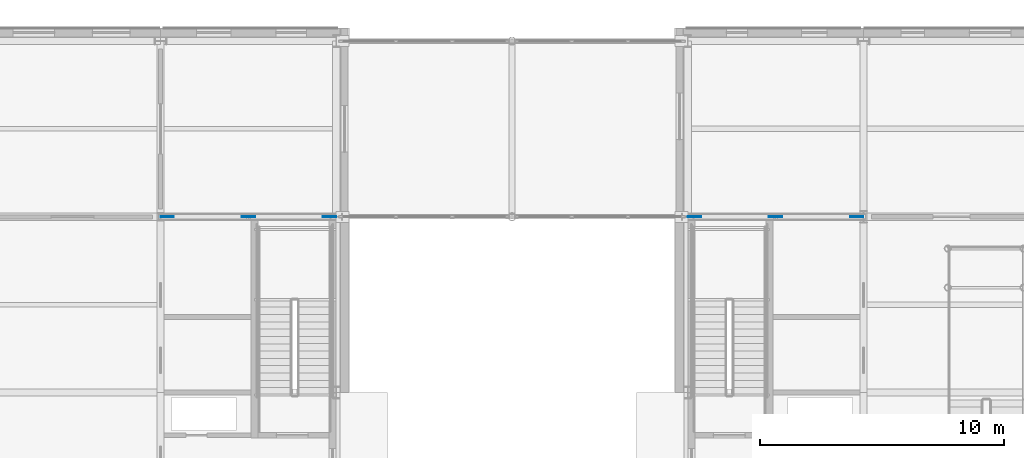
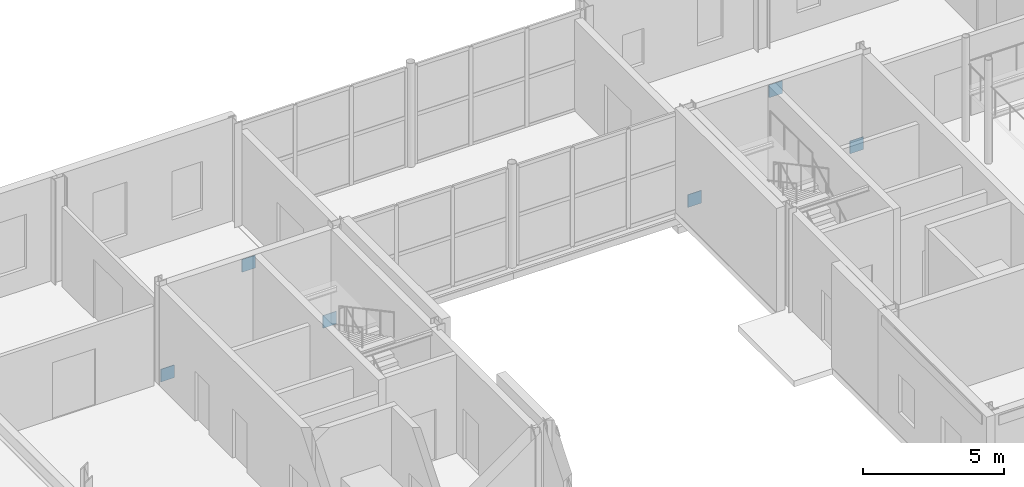
# One storey, part 48 of 92: 6 plates.
"""IFC4 building model written with IfcOpenShell, lengths in metres."""

import ifcopenshell
import ifcopenshell.guid

model = None  # the IFC model being written
_history = None  # IfcOwnerHistory: only IFC2X3 demands one
_inside = {}  # id of a spatial element -> (the spatial element, [elements in it])
_under = {}  # id of a project, library or spatial element -> (it, [spatial elements below it])
_declared = {}  # id of a project -> (the project, [libraries it declares])
_typed = {}  # id of a type object -> (the type object, [elements of that type])
_made_of = {}  # id of a material, layer set ... -> (it, [elements and type objects made of it])


def new_model(schema):
    """Start an empty IFC model of exactly this schema.

    Asked for "IFC4X3", IfcOpenShell would pick the latest addendum, in which some entities
    have other attributes; the version numbers below select the first issue.
    IFC2X3 requires an IfcOwnerHistory on every rooted entity: one is made here for all.
    """
    global model, _history
    if schema == "IFC4X3":
        model = ifcopenshell.file(schema_version=(4, 3, 0, 0))
    else:
        model = ifcopenshell.file(schema=schema)
    _inside.clear()
    _under.clear()
    _declared.clear()
    _typed.clear()
    _made_of.clear()
    _history = None
    if model.schema == "IFC2X3":
        org = make("IfcOrganization", Name="unknown")
        user = make(
            "IfcPersonAndOrganization",
            ThePerson=make("IfcPerson", FamilyName="unknown"),
            TheOrganization=org,
        )
        app = make(
            "IfcApplication",
            ApplicationDeveloper=org,
            Version="unknown",
            ApplicationFullName="unknown",
            ApplicationIdentifier="unknown",
        )
        _history = make(
            "IfcOwnerHistory",
            OwningUser=user,
            OwningApplication=app,
            ChangeAction="ADDED",
            CreationDate=0,
        )
    return model


def make(cls, **values):
    """One entity of the class cls with the attributes given. An attribute that is None is left unset."""
    return model.create_entity(
        cls, **{name: value for name, value in values.items() if value is not None}
    )


def rooted(cls, **values):
    """An entity with a GlobalId (a new one), such as an element, a storey or a relation."""
    return make(cls, GlobalId=ifcopenshell.guid.new(), OwnerHistory=_history, **values)


def si_unit(unit_type, name, prefix=None):
    """IfcSIUnit, for example si_unit("LENGTHUNIT", "METRE", prefix="MILLI")."""
    return make("IfcSIUnit", UnitType=unit_type, Prefix=prefix, Name=name)


def assignment(units):
    """IfcUnitAssignment: the units of a project."""
    return None if units is None else make("IfcUnitAssignment", Units=units)


def point(xyz):
    """IfcCartesianPoint."""
    return None if xyz is None else make("IfcCartesianPoint", Coordinates=xyz)


def direction(xyz):
    """IfcDirection."""
    return None if xyz is None else make("IfcDirection", DirectionRatios=xyz)


def frame(location, z_axis=None, x_axis=None):
    """IfcAxis2Placement3D, a coordinate frame: its origin and axes. An axis left out is left unset."""
    return make(
        "IfcAxis2Placement3D",
        Location=point(location),
        Axis=direction(z_axis),
        RefDirection=direction(x_axis),
    )


def frame_2d(location, x_axis=None):
    """IfcAxis2Placement2D, a coordinate frame in the plane: its origin and x axis."""
    return make(
        "IfcAxis2Placement2D", Location=point(location), RefDirection=direction(x_axis)
    )


def origin():
    """The frame at (0, 0, 0) with its axes left unset."""
    return frame((0.0, 0.0, 0.0))


def origin_2d():
    """The frame at (0, 0) in the plane with its x axis left unset."""
    return frame_2d((0.0, 0.0))


def place(relative_to, where):
    """IfcLocalPlacement: puts the frame where relative to a parent placement (None: the world)."""
    return make(
        "IfcLocalPlacement", PlacementRelTo=relative_to, RelativePlacement=where
    )


def context(
    kind, dimensions, precision=None, world=None, true_north=None, identifier=None
):
    """IfcGeometricRepresentationContext, for example the 3D "Model" context."""
    return make(
        "IfcGeometricRepresentationContext",
        ContextIdentifier=identifier,
        ContextType=kind,
        CoordinateSpaceDimension=dimensions,
        Precision=precision,
        WorldCoordinateSystem=world,
        TrueNorth=true_north,
    )


def subcontext(parent, identifier, kind, view, scale=None):
    """IfcGeometricRepresentationSubContext, for example "Body" below "Model"."""
    return make(
        "IfcGeometricRepresentationSubContext",
        ContextIdentifier=identifier,
        ContextType=kind,
        ParentContext=parent,
        TargetScale=scale,
        TargetView=view,
    )


def project(units=None, contexts=None):
    """IfcProject with its units and contexts."""
    return rooted(
        "IfcProject",
        Name="project",
        RepresentationContexts=contexts,
        UnitsInContext=assignment(units),
    )


def spatial(cls, under=None, at=None, **own):
    """A site, building, storey or space (cls), placed at a placement, below another one or the project."""
    s = rooted(cls, ObjectPlacement=at, **own)
    if under is not None:
        _under.setdefault(under.id(), (under, []))[1].append(s)
    return s


def profile(cls, at=None, kind="AREA", **sizes):
    """A parametric profile (cls). Its sizes go by their IFC names, for example OverallWidth=200.0."""
    return make(cls, ProfileType=kind, Position=at, **sizes)


def rectangle(**sizes):
    """IfcRectangleProfileDef."""
    return profile("IfcRectangleProfileDef", **sizes)


def extrude(swept, where, along, depth):
    """IfcExtrudedAreaSolid: the profile swept, set in the frame where, extruded along a direction by depth."""
    return make(
        "IfcExtrudedAreaSolid",
        SweptArea=swept,
        Position=where,
        ExtrudedDirection=direction(along),
        Depth=depth,
    )


def shape(context_of_items, identifier, shape_type, items):
    """IfcShapeRepresentation: the items that make up one representation, for example the "Body"."""
    return make(
        "IfcShapeRepresentation",
        ContextOfItems=context_of_items,
        RepresentationIdentifier=identifier,
        RepresentationType=shape_type,
        Items=items,
    )


def material(Name=None, Category=None):
    """IfcMaterial."""
    return make("IfcMaterial", Name=Name, Category=Category)


def layer(
    of_material, thickness, ventilated=None, Name=None, Category=None, Priority=None
):
    """IfcMaterialLayer: one layer of a wall or slab, of a material (None: an air gap)."""
    return make(
        "IfcMaterialLayer",
        Material=of_material,
        LayerThickness=thickness,
        IsVentilated=ventilated,
        Name=Name,
        Category=Category,
        Priority=Priority,
    )


def layer_set(layers, Name=None):
    """IfcMaterialLayerSet."""
    return make("IfcMaterialLayerSet", MaterialLayers=layers, LayerSetName=Name)


def made_of(thing, what):
    """Note that an element or type object is made of a material, layer set ...; save() writes the relation."""
    if what is not None:
        _made_of.setdefault(what.id(), (what, []))[1].append(thing)
    return thing


def type_object(cls, material=None, **own):
    """A type object (cls), such as IfcWallType, which elements share."""
    return made_of(rooted(cls, **own), material)


def element(
    cls,
    number,
    at=None,
    inside=None,
    cuts=None,
    type_object=None,
    material=None,
    context=None,
    identifier="Body",
    shape_type=None,
    held_by="IfcProductDefinitionShape",
    body=None,
    shapes=None,
    **own,
):
    """One element of the class cls, such as IfcWall. Its Tag is "e" and its number.

    at: its placement. inside: the storey or other place that contains it. cuts: it is an
    opening in that element (IfcRelVoidsElement). A single representation is given by context,
    identifier, shape_type and body (its items); several are given by shapes. held_by: the class
    of the entity that holds the representations. save() writes the other relations.
    """
    e = rooted(cls, Tag="e%d" % number, ObjectPlacement=at, **own)
    if body is not None:
        shapes = [shape(context, identifier, shape_type, body)]
    if shapes is not None:
        e.Representation = make(held_by, Representations=shapes)
    if inside is not None:
        _inside.setdefault(inside.id(), (inside, []))[1].append(e)
    if cuts is not None:
        rooted(
            "IfcRelVoidsElement", RelatingBuildingElement=cuts, RelatedOpeningElement=e
        )
    if type_object is not None:
        _typed.setdefault(type_object.id(), (type_object, []))[1].append(e)
    return made_of(e, material)


def aggregate(whole, parts):
    """IfcRelAggregates: a whole, such as a stair, and the parts it consists of."""
    return rooted("IfcRelAggregates", RelatingObject=whole, RelatedObjects=parts)


def save(model, path):
    """Write the relations noted so far, then the file.

    IfcRelAggregates (storeys below a building ...), IfcRelContainedInSpatialStructure (elements
    in a storey), IfcRelDefinesByType, IfcRelAssociatesMaterial and IfcRelDeclares: one each for
    every whole, place, type object, material and project.
    """
    for whole, parts in _under.values():
        aggregate(whole, parts)
    for where, things in _inside.values():
        rooted(
            "IfcRelContainedInSpatialStructure",
            RelatedElements=things,
            RelatingStructure=where,
        )
    for kind, things in _typed.values():
        rooted("IfcRelDefinesByType", RelatedObjects=things, RelatingType=kind)
    for what, things in _made_of.values():
        rooted("IfcRelAssociatesMaterial", RelatedObjects=things, RelatingMaterial=what)
    for by, libraries in _declared.values():
        rooted("IfcRelDeclares", RelatingContext=by, RelatedDefinitions=libraries)
    model.write(path)


model = new_model("IFC4")

# Units and contexts
model_context = context("Model", 3, precision=1e-05, world=origin(), true_north=direction((0.0, 1.0)))
body_context = subcontext(model_context, "Body", "Model", "MODEL_VIEW")
ifc_project = project(units=[si_unit("LENGTHUNIT", "METRE"), si_unit("AREAUNIT", "SQUARE_METRE"), si_unit("VOLUMEUNIT", "CUBIC_METRE"), si_unit("PLANEANGLEUNIT", "RADIAN"), si_unit("MASSUNIT", "GRAM", prefix="KILO")], contexts=[model_context])

# Site, building, storey
site_placement = place(None, origin())
site = spatial("IfcSite", under=ifc_project, at=site_placement, CompositionType="ELEMENT")
building_placement = place(site_placement, origin())
building = spatial("IfcBuilding", under=site, at=building_placement, Name="Zlatovets Crest Museum", CompositionType="ELEMENT")
storey_placement = place(building_placement, origin())
storey = spatial("IfcBuildingStorey", under=building, at=storey_placement, Name="L00", CompositionType="ELEMENT", Elevation=0.0)

# Plates
ifc_material = material(Name="Structural steel S355J2", Category="steel")
ifc_layer = layer(ifc_material, 0.02490234375)
ifc_layer_set = layer_set([ifc_layer], Name="Structural steel S355J2")
plate_type = type_object("IfcPlateType", Name="Gusset_GP-01", PredefinedType="USERDEFINED", material=ifc_layer_set)
for number, where, z_axis, x_axis, name in (
    (1, (57.8798828125, 21.60009765625, 0.0048828125), (0.0, 0.0, 1.0), (1.0, 0.0, 0.0), "V2 L00 Brace End Gusset Plate GP-01"),
    (2, (64.52001953125, 21.60009765625, 0.0048828125), (0.0, 0.0, 1.0), (1.0, 0.0, 0.0), "V2 L00 Brace End Gusset Plate GP-01"),
    (3, (61.199951171875, 21.60009765625, 3.59521484375), (0.0, 0.0, 1.0), (1.0, 0.0, 0.0), "V2 L00 Brace End Gusset Plate GP-01"),
    (4, (36.280029296875, 21.60009765625, 0.0048828125), (0.0, 0.0, 1.0), (1.0, 0.0, 0.0), "V3 L00 Brace End Gusset Plate GP-01"),
    (5, (42.919921875, 21.60009765625, 0.0048828125), (0.0, 0.0, 1.0), (1.0, 0.0, 0.0), "V3 L00 Brace End Gusset Plate GP-01"),
    (6, (39.60009765625, 21.60009765625, 3.59521484375), (0.0, 0.0, 1.0), (1.0, 0.0, 0.0), "V3 L00 Brace End Gusset Plate GP-01"),
):
    element("IfcPlate", number, at=place(storey_placement, frame(where, z_axis=z_axis, x_axis=x_axis)), inside=storey, type_object=plate_type, Name=name, ObjectType="GUSSET", PredefinedType="USERDEFINED", context=body_context, shape_type="SweptSolid", body=[
        extrude(rectangle(XDim=0.550048828125, YDim=0.02490234375, at=origin_2d()), origin(), (0.0, 0.0, 1.0), 0.550048828125),
    ])

save(model, "model.ifc")
